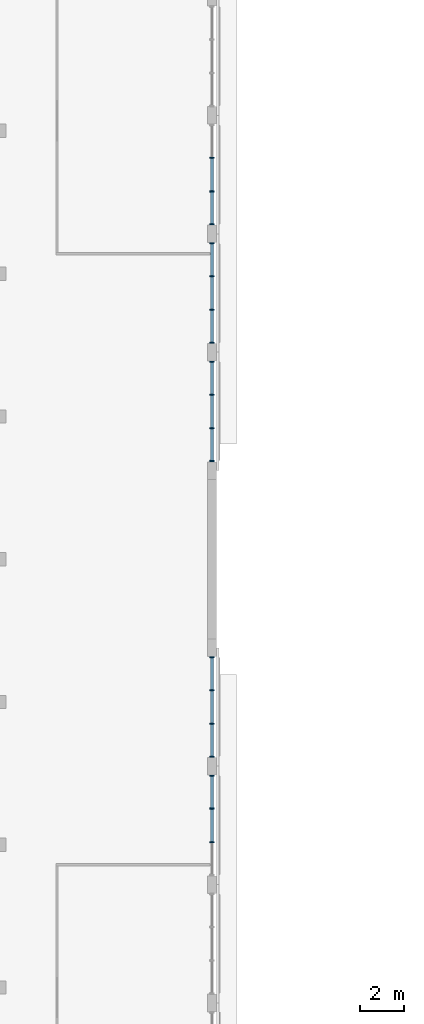
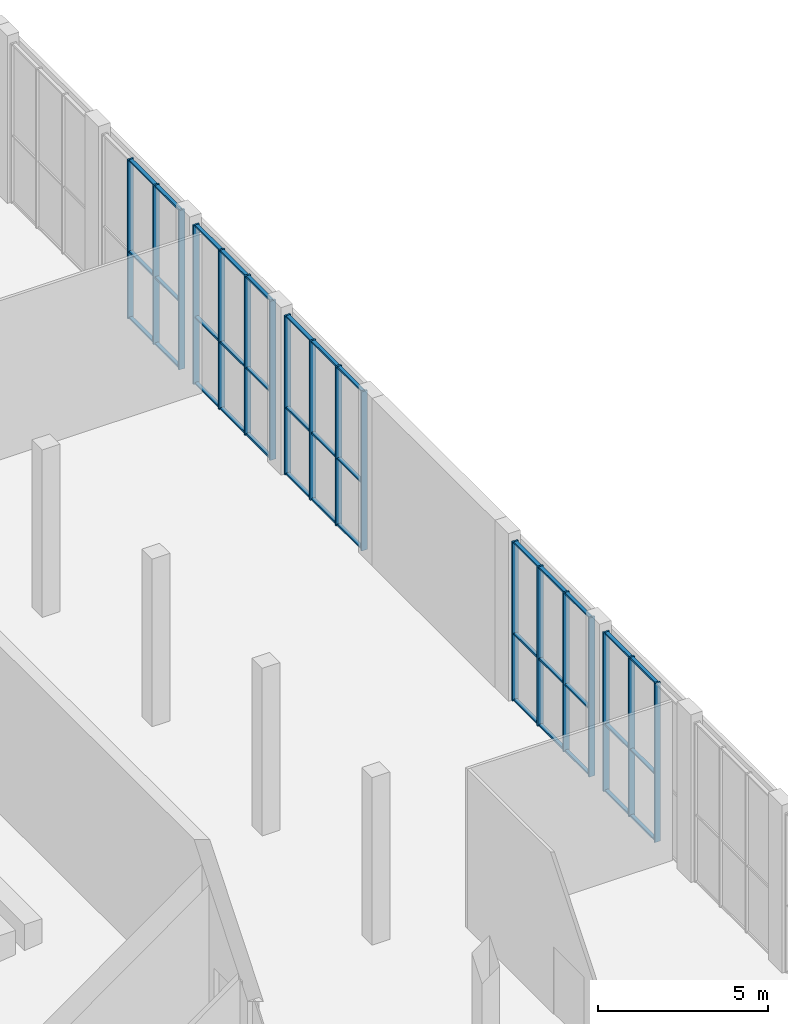
# One storey, part 9 of 74: 57 members, 5 elements without a shape of their own.
"""IFC4 building model written with IfcOpenShell, lengths in metres."""

from ifc_helpers import new_model, si_unit, direction, frame, origin, origin_2d, place, context, subcontext, project, spatial, rectangle, extrude, material, layer, layer_set, material_profile, profile_set, type_object, element, aggregate, save


model = new_model("IFC4")

# Units and contexts
model_context = context("Model", 3, precision=1e-05, world=origin(), true_north=direction((0.0, 1.0)))
body_context = subcontext(model_context, "Body", "Model", "MODEL_VIEW")
ifc_project = project(units=[si_unit("LENGTHUNIT", "METRE"), si_unit("AREAUNIT", "SQUARE_METRE"), si_unit("VOLUMEUNIT", "CUBIC_METRE"), si_unit("PLANEANGLEUNIT", "RADIAN"), si_unit("MASSUNIT", "GRAM", prefix="KILO")], contexts=[model_context])

# Site, building, storey
site_placement = place(None, origin())
site = spatial("IfcSite", under=ifc_project, at=site_placement, CompositionType="ELEMENT")
building_placement = place(site_placement, origin())
building = spatial("IfcBuilding", under=site, at=building_placement, Name="Noorbagh Ring Tower", CompositionType="ELEMENT")
storey_placement = place(building_placement, frame((0.0, 0.0, 13.5)))
storey = spatial("IfcBuildingStorey", under=building, at=storey_placement, Name="L02", CompositionType="ELEMENT", Elevation=13.5)

# Curtain wall, members
ifc_material_1 = material(Name="Aluminium and glass", Category="aluminium")
ifc_layer = layer(ifc_material_1, 0.199951171875)
ifc_layer_set = layer_set([ifc_layer], Name="Aluminium and glass")
curtain_wall_type = type_object("IfcCurtainWallType", Name="TH-CW", PredefinedType="NOTDEFINED", material=ifc_layer_set)
curtain_wall_1_placement = place(storey_placement, origin())
curtain_wall_1 = element("IfcCurtainWall", 1, at=curtain_wall_1_placement, inside=storey, type_object=curtain_wall_type, Name="Foyer glazing", PredefinedType="NOTDEFINED")
ifc_material_2 = material(Name="Aluminium", Category="aluminium")
ifc_material_profile_1 = material_profile(ifc_material_2, rectangle(XDim=0.199951171875, YDim=0.06005859375, at=origin_2d()), Name="AL 200x60")
ifc_profile_set_1 = profile_set([ifc_material_profile_1], Name="Aluminium")
member_type_1 = type_object("IfcMemberType", Name="TH-CW-MULLION", PredefinedType="MULLION", material=ifc_profile_set_1)
member_1_placement = place(storey_placement, frame((-95.199951171875, -7.783447265625, 0.0), z_axis=(0.0, 0.0, 1.0), x_axis=(-1.0, 0.0, 0.0)))
member_1 = element("IfcMember", 2, at=member_1_placement, type_object=member_type_1, Name="CW-T mullion 2", PredefinedType="MULLION", context=body_context, shape_type="SweptSolid", body=[
    extrude(rectangle(XDim=0.199951171875, YDim=0.06005859375, at=origin_2d()), origin(), (0.0, 0.0, 1.0), 5.699951171875),
])
member_2_placement = place(storey_placement, frame((-95.199951171875, -6.2666015625, 0.0), z_axis=(0.0, 0.0, 1.0), x_axis=(-1.0, 0.0, 0.0)))
member_2 = element("IfcMember", 3, at=member_2_placement, type_object=member_type_1, Name="CW-T mullion 3", PredefinedType="MULLION", context=body_context, shape_type="SweptSolid", body=[
    extrude(rectangle(XDim=0.199951171875, YDim=0.06005859375, at=origin_2d()), origin(), (0.0, 0.0, 1.0), 5.699951171875),
])
member_3_placement = place(storey_placement, frame((-95.199951171875, -4.780029296875, 0.0), z_axis=(0.0, 0.0, 1.0), x_axis=(-1.0, 0.0, 0.0)))
member_3 = element("IfcMember", 4, at=member_3_placement, type_object=member_type_1, Name="CW-T mullion 4", PredefinedType="MULLION", context=body_context, shape_type="SweptSolid", body=[
    extrude(rectangle(XDim=0.199951171875, YDim=0.06005859375, at=origin_2d()), origin(), (0.0, 0.0, 1.0), 5.699951171875),
])

curtain_wall_2_placement = place(storey_placement, origin())
curtain_wall_2 = element("IfcCurtainWall", 5, at=curtain_wall_2_placement, inside=storey, type_object=curtain_wall_type, Name="Foyer glazing", PredefinedType="NOTDEFINED")
member_4_placement = place(storey_placement, frame((-95.199951171875, -3.919921875, 0.0), z_axis=(0.0, 0.0, 1.0), x_axis=(-1.0, 0.0, 0.0)))
member_4 = element("IfcMember", 6, at=member_4_placement, type_object=member_type_1, Name="CW-T mullion 1", PredefinedType="MULLION", context=body_context, shape_type="SweptSolid", body=[
    extrude(rectangle(XDim=0.199951171875, YDim=0.06005859375, at=origin_2d()), origin(), (0.0, 0.0, 1.0), 5.699951171875),
])
member_5_placement = place(storey_placement, frame((-95.199951171875, -2.433349609375, 0.0), z_axis=(0.0, 0.0, 1.0), x_axis=(-1.0, 0.0, 0.0)))
member_5 = element("IfcMember", 7, at=member_5_placement, type_object=member_type_1, Name="CW-T mullion 2", PredefinedType="MULLION", context=body_context, shape_type="SweptSolid", body=[
    extrude(rectangle(XDim=0.199951171875, YDim=0.06005859375, at=origin_2d()), origin(), (0.0, 0.0, 1.0), 5.699951171875),
])
member_6_placement = place(storey_placement, frame((-95.199951171875, -0.916748046875, 0.0), z_axis=(0.0, 0.0, 1.0), x_axis=(-1.0, 0.0, 0.0)))
member_6 = element("IfcMember", 8, at=member_6_placement, type_object=member_type_1, Name="CW-T mullion 3", PredefinedType="MULLION", context=body_context, shape_type="SweptSolid", body=[
    extrude(rectangle(XDim=0.199951171875, YDim=0.06005859375, at=origin_2d()), origin(), (0.0, 0.0, 1.0), 5.699951171875),
])
member_7_placement = place(storey_placement, frame((-95.199951171875, 0.570068359375, 0.0), z_axis=(0.0, 0.0, 1.0), x_axis=(-1.0, 0.0, 0.0)))
member_7 = element("IfcMember", 9, at=member_7_placement, type_object=member_type_1, Name="CW-T mullion 4", PredefinedType="MULLION", context=body_context, shape_type="SweptSolid", body=[
    extrude(rectangle(XDim=0.199951171875, YDim=0.06005859375, at=origin_2d()), origin(), (0.0, 0.0, 1.0), 5.699951171875),
])

curtain_wall_3_placement = place(storey_placement, origin())
curtain_wall_3 = element("IfcCurtainWall", 10, at=curtain_wall_3_placement, inside=storey, type_object=curtain_wall_type, Name="Foyer glazing", PredefinedType="NOTDEFINED")
member_8_placement = place(storey_placement, frame((-95.199951171875, 9.429931640625, 0.0), z_axis=(0.0, 0.0, 1.0), x_axis=(-1.0, 0.0, 0.0)))
member_8 = element("IfcMember", 11, at=member_8_placement, type_object=member_type_1, Name="CW-T mullion 1", PredefinedType="MULLION", context=body_context, shape_type="SweptSolid", body=[
    extrude(rectangle(XDim=0.199951171875, YDim=0.06005859375, at=origin_2d()), origin(), (0.0, 0.0, 1.0), 5.699951171875),
])
member_9_placement = place(storey_placement, frame((-95.199951171875, 10.916748046875, 0.0), z_axis=(0.0, 0.0, 1.0), x_axis=(-1.0, 0.0, 0.0)))
member_9 = element("IfcMember", 12, at=member_9_placement, type_object=member_type_1, Name="CW-T mullion 2", PredefinedType="MULLION", context=body_context, shape_type="SweptSolid", body=[
    extrude(rectangle(XDim=0.199951171875, YDim=0.06005859375, at=origin_2d()), origin(), (0.0, 0.0, 1.0), 5.699951171875),
])
member_10_placement = place(storey_placement, frame((-95.199951171875, 12.433349609375, 0.0), z_axis=(0.0, 0.0, 1.0), x_axis=(-1.0, 0.0, 0.0)))
member_10 = element("IfcMember", 13, at=member_10_placement, type_object=member_type_1, Name="CW-T mullion 3", PredefinedType="MULLION", context=body_context, shape_type="SweptSolid", body=[
    extrude(rectangle(XDim=0.199951171875, YDim=0.06005859375, at=origin_2d()), origin(), (0.0, 0.0, 1.0), 5.699951171875),
])
member_11_placement = place(storey_placement, frame((-95.199951171875, 13.919921875, 0.0), z_axis=(0.0, 0.0, 1.0), x_axis=(-1.0, 0.0, 0.0)))
member_11 = element("IfcMember", 14, at=member_11_placement, type_object=member_type_1, Name="CW-T mullion 4", PredefinedType="MULLION", context=body_context, shape_type="SweptSolid", body=[
    extrude(rectangle(XDim=0.199951171875, YDim=0.06005859375, at=origin_2d()), origin(), (0.0, 0.0, 1.0), 5.699951171875),
])

curtain_wall_4_placement = place(storey_placement, origin())
curtain_wall_4 = element("IfcCurtainWall", 15, at=curtain_wall_4_placement, inside=storey, type_object=curtain_wall_type, Name="Foyer glazing", PredefinedType="NOTDEFINED")
member_12_placement = place(storey_placement, frame((-95.199951171875, 14.780029296875, 0.0), z_axis=(0.0, 0.0, 1.0), x_axis=(-1.0, 0.0, 0.0)))
member_12 = element("IfcMember", 16, at=member_12_placement, type_object=member_type_1, Name="CW-T mullion 1", PredefinedType="MULLION", context=body_context, shape_type="SweptSolid", body=[
    extrude(rectangle(XDim=0.199951171875, YDim=0.06005859375, at=origin_2d()), origin(), (0.0, 0.0, 1.0), 5.699951171875),
])
member_13_placement = place(storey_placement, frame((-95.199951171875, 16.2666015625, 0.0), z_axis=(0.0, 0.0, 1.0), x_axis=(-1.0, 0.0, 0.0)))
member_13 = element("IfcMember", 17, at=member_13_placement, type_object=member_type_1, Name="CW-T mullion 2", PredefinedType="MULLION", context=body_context, shape_type="SweptSolid", body=[
    extrude(rectangle(XDim=0.199951171875, YDim=0.06005859375, at=origin_2d()), origin(), (0.0, 0.0, 1.0), 5.699951171875),
])
member_14_placement = place(storey_placement, frame((-95.199951171875, 17.783447265625, 0.0), z_axis=(0.0, 0.0, 1.0), x_axis=(-1.0, 0.0, 0.0)))
member_14 = element("IfcMember", 18, at=member_14_placement, type_object=member_type_1, Name="CW-T mullion 3", PredefinedType="MULLION", context=body_context, shape_type="SweptSolid", body=[
    extrude(rectangle(XDim=0.199951171875, YDim=0.06005859375, at=origin_2d()), origin(), (0.0, 0.0, 1.0), 5.699951171875),
])
member_15_placement = place(storey_placement, frame((-95.199951171875, 19.27001953125, 0.0), z_axis=(0.0, 0.0, 1.0), x_axis=(-1.0, 0.0, 0.0)))
member_15 = element("IfcMember", 19, at=member_15_placement, type_object=member_type_1, Name="CW-T mullion 4", PredefinedType="MULLION", context=body_context, shape_type="SweptSolid", body=[
    extrude(rectangle(XDim=0.199951171875, YDim=0.06005859375, at=origin_2d()), origin(), (0.0, 0.0, 1.0), 5.699951171875),
])

curtain_wall_5_placement = place(storey_placement, origin())
curtain_wall_5 = element("IfcCurtainWall", 20, at=curtain_wall_5_placement, inside=storey, type_object=curtain_wall_type, Name="Foyer glazing", PredefinedType="NOTDEFINED")
member_16_placement = place(storey_placement, frame((-95.199951171875, 20.1298828125, 0.0), z_axis=(0.0, 0.0, 1.0), x_axis=(-1.0, 0.0, 0.0)))
member_16 = element("IfcMember", 21, at=member_16_placement, type_object=member_type_1, Name="CW-T mullion 1", PredefinedType="MULLION", context=body_context, shape_type="SweptSolid", body=[
    extrude(rectangle(XDim=0.199951171875, YDim=0.06005859375, at=origin_2d()), origin(), (0.0, 0.0, 1.0), 5.699951171875),
])
member_17_placement = place(storey_placement, frame((-95.199951171875, 21.61669921875, 0.0), z_axis=(0.0, 0.0, 1.0), x_axis=(-1.0, 0.0, 0.0)))
member_17 = element("IfcMember", 22, at=member_17_placement, type_object=member_type_1, Name="CW-T mullion 2", PredefinedType="MULLION", context=body_context, shape_type="SweptSolid", body=[
    extrude(rectangle(XDim=0.199951171875, YDim=0.06005859375, at=origin_2d()), origin(), (0.0, 0.0, 1.0), 5.699951171875),
])
member_18_placement = place(storey_placement, frame((-95.199951171875, 23.13330078125, 0.0), z_axis=(0.0, 0.0, 1.0), x_axis=(-1.0, 0.0, 0.0)))
member_18 = element("IfcMember", 23, at=member_18_placement, type_object=member_type_1, Name="CW-T mullion 3", PredefinedType="MULLION", context=body_context, shape_type="SweptSolid", body=[
    extrude(rectangle(XDim=0.199951171875, YDim=0.06005859375, at=origin_2d()), origin(), (0.0, 0.0, 1.0), 5.699951171875),
])

# Member
ifc_material_3 = material(Name="Aluminium", Category="aluminium")
ifc_material_profile_2 = material_profile(ifc_material_3, rectangle(XDim=0.1201171875, YDim=0.06005859375, at=origin_2d()), Name="AL 120x60")
ifc_profile_set_2 = profile_set([ifc_material_profile_2], Name="Aluminium")
member_type_2 = type_object("IfcMemberType", Name="TH-CW-TRANSOM", PredefinedType="USERDEFINED", material=ifc_profile_set_2)
member_19_placement = place(storey_placement, frame((-95.199951171875, -7.75341796875, 0.030029296875), z_axis=(0.0, 1.0, 0.0), x_axis=(-1.0, 0.0, 0.0)))
member_19 = element("IfcMember", 24, at=member_19_placement, type_object=member_type_2, Name="CW-T transom 2.1", ObjectType="TRANSOM", PredefinedType="USERDEFINED", context=body_context, shape_type="SweptSolid", body=[
    extrude(rectangle(XDim=0.1201171875, YDim=0.06005859375, at=origin_2d()), origin(), (0.0, 0.0, 1.0), 1.456787109375),
])

member_20_placement = place(storey_placement, frame((-95.199951171875, -7.75341796875, 2.39990234375), z_axis=(0.0, 1.0, 0.0), x_axis=(-1.0, 0.0, 0.0)))
member_20 = element("IfcMember", 25, at=member_20_placement, type_object=member_type_2, Name="CW-T transom 2.2", ObjectType="TRANSOM", PredefinedType="USERDEFINED", context=body_context, shape_type="SweptSolid", body=[
    extrude(rectangle(XDim=0.1201171875, YDim=0.06005859375, at=origin_2d()), origin(), (0.0, 0.0, 1.0), 1.456787109375),
])

member_21_placement = place(storey_placement, frame((-95.199951171875, -7.75341796875, 5.669921875), z_axis=(0.0, 1.0, 0.0), x_axis=(-1.0, 0.0, 0.0)))
member_21 = element("IfcMember", 26, at=member_21_placement, type_object=member_type_2, Name="CW-T transom 2.3", ObjectType="TRANSOM", PredefinedType="USERDEFINED", context=body_context, shape_type="SweptSolid", body=[
    extrude(rectangle(XDim=0.1201171875, YDim=0.06005859375, at=origin_2d()), origin(), (0.0, 0.0, 1.0), 1.456787109375),
])

member_22_placement = place(storey_placement, frame((-95.199951171875, -6.236572265625, 0.030029296875), z_axis=(0.0, 1.0, 0.0), x_axis=(-1.0, 0.0, 0.0)))
member_22 = element("IfcMember", 27, at=member_22_placement, type_object=member_type_2, Name="CW-T transom 3.1", ObjectType="TRANSOM", PredefinedType="USERDEFINED", context=body_context, shape_type="SweptSolid", body=[
    extrude(rectangle(XDim=0.1201171875, YDim=0.06005859375, at=origin_2d()), origin(), (0.0, 0.0, 1.0), 1.426513671875),
])

member_23_placement = place(storey_placement, frame((-95.199951171875, -6.236572265625, 2.39990234375), z_axis=(0.0, 1.0, 0.0), x_axis=(-1.0, 0.0, 0.0)))
member_23 = element("IfcMember", 28, at=member_23_placement, type_object=member_type_2, Name="CW-T transom 3.2", ObjectType="TRANSOM", PredefinedType="USERDEFINED", context=body_context, shape_type="SweptSolid", body=[
    extrude(rectangle(XDim=0.1201171875, YDim=0.06005859375, at=origin_2d()), origin(), (0.0, 0.0, 1.0), 1.426513671875),
])

member_24_placement = place(storey_placement, frame((-95.199951171875, -6.236572265625, 5.669921875), z_axis=(0.0, 1.0, 0.0), x_axis=(-1.0, 0.0, 0.0)))
member_24 = element("IfcMember", 29, at=member_24_placement, type_object=member_type_2, Name="CW-T transom 3.3", ObjectType="TRANSOM", PredefinedType="USERDEFINED", context=body_context, shape_type="SweptSolid", body=[
    extrude(rectangle(XDim=0.1201171875, YDim=0.06005859375, at=origin_2d()), origin(), (0.0, 0.0, 1.0), 1.426513671875),
])

aggregate(curtain_wall_1, [member_1, member_2, member_3, member_19, member_20, member_21, member_22, member_23, member_24])

member_25_placement = place(storey_placement, frame((-95.199951171875, -3.889892578125, 0.030029296875), z_axis=(0.0, 1.0, 0.0), x_axis=(-1.0, 0.0, 0.0)))
member_25 = element("IfcMember", 30, at=member_25_placement, type_object=member_type_2, Name="CW-T transom 1.1", ObjectType="TRANSOM", PredefinedType="USERDEFINED", context=body_context, shape_type="SweptSolid", body=[
    extrude(rectangle(XDim=0.1201171875, YDim=0.06005859375, at=origin_2d()), origin(), (0.0, 0.0, 1.0), 1.426513671875),
])

member_26_placement = place(storey_placement, frame((-95.199951171875, -3.889892578125, 2.39990234375), z_axis=(0.0, 1.0, 0.0), x_axis=(-1.0, 0.0, 0.0)))
member_26 = element("IfcMember", 31, at=member_26_placement, type_object=member_type_2, Name="CW-T transom 1.2", ObjectType="TRANSOM", PredefinedType="USERDEFINED", context=body_context, shape_type="SweptSolid", body=[
    extrude(rectangle(XDim=0.1201171875, YDim=0.06005859375, at=origin_2d()), origin(), (0.0, 0.0, 1.0), 1.426513671875),
])

member_27_placement = place(storey_placement, frame((-95.199951171875, -3.889892578125, 5.669921875), z_axis=(0.0, 1.0, 0.0), x_axis=(-1.0, 0.0, 0.0)))
member_27 = element("IfcMember", 32, at=member_27_placement, type_object=member_type_2, Name="CW-T transom 1.3", ObjectType="TRANSOM", PredefinedType="USERDEFINED", context=body_context, shape_type="SweptSolid", body=[
    extrude(rectangle(XDim=0.1201171875, YDim=0.06005859375, at=origin_2d()), origin(), (0.0, 0.0, 1.0), 1.426513671875),
])

member_28_placement = place(storey_placement, frame((-95.199951171875, -2.4033203125, 0.030029296875), z_axis=(0.0, 1.0, 0.0), x_axis=(-1.0, 0.0, 0.0)))
member_28 = element("IfcMember", 33, at=member_28_placement, type_object=member_type_2, Name="CW-T transom 2.1", ObjectType="TRANSOM", PredefinedType="USERDEFINED", context=body_context, shape_type="SweptSolid", body=[
    extrude(rectangle(XDim=0.1201171875, YDim=0.06005859375, at=origin_2d()), origin(), (0.0, 0.0, 1.0), 1.45654296875),
])

member_29_placement = place(storey_placement, frame((-95.199951171875, -2.4033203125, 2.39990234375), z_axis=(0.0, 1.0, 0.0), x_axis=(-1.0, 0.0, 0.0)))
member_29 = element("IfcMember", 34, at=member_29_placement, type_object=member_type_2, Name="CW-T transom 2.2", ObjectType="TRANSOM", PredefinedType="USERDEFINED", context=body_context, shape_type="SweptSolid", body=[
    extrude(rectangle(XDim=0.1201171875, YDim=0.06005859375, at=origin_2d()), origin(), (0.0, 0.0, 1.0), 1.45654296875),
])

member_30_placement = place(storey_placement, frame((-95.199951171875, -2.4033203125, 5.669921875), z_axis=(0.0, 1.0, 0.0), x_axis=(-1.0, 0.0, 0.0)))
member_30 = element("IfcMember", 35, at=member_30_placement, type_object=member_type_2, Name="CW-T transom 2.3", ObjectType="TRANSOM", PredefinedType="USERDEFINED", context=body_context, shape_type="SweptSolid", body=[
    extrude(rectangle(XDim=0.1201171875, YDim=0.06005859375, at=origin_2d()), origin(), (0.0, 0.0, 1.0), 1.45654296875),
])

member_31_placement = place(storey_placement, frame((-95.199951171875, -0.88671875, 0.030029296875), z_axis=(0.0, 1.0, 0.0), x_axis=(-1.0, 0.0, 0.0)))
member_31 = element("IfcMember", 36, at=member_31_placement, type_object=member_type_2, Name="CW-T transom 3.1", ObjectType="TRANSOM", PredefinedType="USERDEFINED", context=body_context, shape_type="SweptSolid", body=[
    extrude(rectangle(XDim=0.1201171875, YDim=0.06005859375, at=origin_2d()), origin(), (0.0, 0.0, 1.0), 1.4267578125),
])

member_32_placement = place(storey_placement, frame((-95.199951171875, -0.88671875, 2.39990234375), z_axis=(0.0, 1.0, 0.0), x_axis=(-1.0, 0.0, 0.0)))
member_32 = element("IfcMember", 37, at=member_32_placement, type_object=member_type_2, Name="CW-T transom 3.2", ObjectType="TRANSOM", PredefinedType="USERDEFINED", context=body_context, shape_type="SweptSolid", body=[
    extrude(rectangle(XDim=0.1201171875, YDim=0.06005859375, at=origin_2d()), origin(), (0.0, 0.0, 1.0), 1.4267578125),
])

member_33_placement = place(storey_placement, frame((-95.199951171875, -0.88671875, 5.669921875), z_axis=(0.0, 1.0, 0.0), x_axis=(-1.0, 0.0, 0.0)))
member_33 = element("IfcMember", 38, at=member_33_placement, type_object=member_type_2, Name="CW-T transom 3.3", ObjectType="TRANSOM", PredefinedType="USERDEFINED", context=body_context, shape_type="SweptSolid", body=[
    extrude(rectangle(XDim=0.1201171875, YDim=0.06005859375, at=origin_2d()), origin(), (0.0, 0.0, 1.0), 1.4267578125),
])

aggregate(curtain_wall_2, [member_4, member_5, member_6, member_7, member_25, member_26, member_27, member_28, member_29, member_30, member_31, member_32, member_33])

member_34_placement = place(storey_placement, frame((-95.199951171875, 9.4599609375, 0.030029296875), z_axis=(0.0, 1.0, 0.0), x_axis=(-1.0, 0.0, 0.0)))
member_34 = element("IfcMember", 39, at=member_34_placement, type_object=member_type_2, Name="CW-T transom 1.1", ObjectType="TRANSOM", PredefinedType="USERDEFINED", context=body_context, shape_type="SweptSolid", body=[
    extrude(rectangle(XDim=0.1201171875, YDim=0.06005859375, at=origin_2d()), origin(), (0.0, 0.0, 1.0), 1.4267578125),
])

member_35_placement = place(storey_placement, frame((-95.199951171875, 9.4599609375, 2.39990234375), z_axis=(0.0, 1.0, 0.0), x_axis=(-1.0, 0.0, 0.0)))
member_35 = element("IfcMember", 40, at=member_35_placement, type_object=member_type_2, Name="CW-T transom 1.2", ObjectType="TRANSOM", PredefinedType="USERDEFINED", context=body_context, shape_type="SweptSolid", body=[
    extrude(rectangle(XDim=0.1201171875, YDim=0.06005859375, at=origin_2d()), origin(), (0.0, 0.0, 1.0), 1.4267578125),
])

member_36_placement = place(storey_placement, frame((-95.199951171875, 9.4599609375, 5.669921875), z_axis=(0.0, 1.0, 0.0), x_axis=(-1.0, 0.0, 0.0)))
member_36 = element("IfcMember", 41, at=member_36_placement, type_object=member_type_2, Name="CW-T transom 1.3", ObjectType="TRANSOM", PredefinedType="USERDEFINED", context=body_context, shape_type="SweptSolid", body=[
    extrude(rectangle(XDim=0.1201171875, YDim=0.06005859375, at=origin_2d()), origin(), (0.0, 0.0, 1.0), 1.4267578125),
])

member_37_placement = place(storey_placement, frame((-95.199951171875, 10.94677734375, 0.030029296875), z_axis=(0.0, 1.0, 0.0), x_axis=(-1.0, 0.0, 0.0)))
member_37 = element("IfcMember", 42, at=member_37_placement, type_object=member_type_2, Name="CW-T transom 2.1", ObjectType="TRANSOM", PredefinedType="USERDEFINED", context=body_context, shape_type="SweptSolid", body=[
    extrude(rectangle(XDim=0.1201171875, YDim=0.06005859375, at=origin_2d()), origin(), (0.0, 0.0, 1.0), 1.45654296875),
])

member_38_placement = place(storey_placement, frame((-95.199951171875, 10.94677734375, 2.39990234375), z_axis=(0.0, 1.0, 0.0), x_axis=(-1.0, 0.0, 0.0)))
member_38 = element("IfcMember", 43, at=member_38_placement, type_object=member_type_2, Name="CW-T transom 2.2", ObjectType="TRANSOM", PredefinedType="USERDEFINED", context=body_context, shape_type="SweptSolid", body=[
    extrude(rectangle(XDim=0.1201171875, YDim=0.06005859375, at=origin_2d()), origin(), (0.0, 0.0, 1.0), 1.45654296875),
])

member_39_placement = place(storey_placement, frame((-95.199951171875, 10.94677734375, 5.669921875), z_axis=(0.0, 1.0, 0.0), x_axis=(-1.0, 0.0, 0.0)))
member_39 = element("IfcMember", 44, at=member_39_placement, type_object=member_type_2, Name="CW-T transom 2.3", ObjectType="TRANSOM", PredefinedType="USERDEFINED", context=body_context, shape_type="SweptSolid", body=[
    extrude(rectangle(XDim=0.1201171875, YDim=0.06005859375, at=origin_2d()), origin(), (0.0, 0.0, 1.0), 1.45654296875),
])

member_40_placement = place(storey_placement, frame((-95.199951171875, 12.46337890625, 0.030029296875), z_axis=(0.0, 1.0, 0.0), x_axis=(-1.0, 0.0, 0.0)))
member_40 = element("IfcMember", 45, at=member_40_placement, type_object=member_type_2, Name="CW-T transom 3.1", ObjectType="TRANSOM", PredefinedType="USERDEFINED", context=body_context, shape_type="SweptSolid", body=[
    extrude(rectangle(XDim=0.1201171875, YDim=0.06005859375, at=origin_2d()), origin(), (0.0, 0.0, 1.0), 1.426513671875),
])

member_41_placement = place(storey_placement, frame((-95.199951171875, 12.46337890625, 2.39990234375), z_axis=(0.0, 1.0, 0.0), x_axis=(-1.0, 0.0, 0.0)))
member_41 = element("IfcMember", 46, at=member_41_placement, type_object=member_type_2, Name="CW-T transom 3.2", ObjectType="TRANSOM", PredefinedType="USERDEFINED", context=body_context, shape_type="SweptSolid", body=[
    extrude(rectangle(XDim=0.1201171875, YDim=0.06005859375, at=origin_2d()), origin(), (0.0, 0.0, 1.0), 1.426513671875),
])

member_42_placement = place(storey_placement, frame((-95.199951171875, 12.46337890625, 5.669921875), z_axis=(0.0, 1.0, 0.0), x_axis=(-1.0, 0.0, 0.0)))
member_42 = element("IfcMember", 47, at=member_42_placement, type_object=member_type_2, Name="CW-T transom 3.3", ObjectType="TRANSOM", PredefinedType="USERDEFINED", context=body_context, shape_type="SweptSolid", body=[
    extrude(rectangle(XDim=0.1201171875, YDim=0.06005859375, at=origin_2d()), origin(), (0.0, 0.0, 1.0), 1.426513671875),
])

aggregate(curtain_wall_3, [member_8, member_9, member_10, member_11, member_34, member_35, member_36, member_37, member_38, member_39, member_40, member_41, member_42])

member_43_placement = place(storey_placement, frame((-95.199951171875, 14.81005859375, 0.030029296875), z_axis=(0.0, 1.0, 0.0), x_axis=(-1.0, 0.0, 0.0)))
member_43 = element("IfcMember", 48, at=member_43_placement, type_object=member_type_2, Name="CW-T transom 1.1", ObjectType="TRANSOM", PredefinedType="USERDEFINED", context=body_context, shape_type="SweptSolid", body=[
    extrude(rectangle(XDim=0.1201171875, YDim=0.06005859375, at=origin_2d()), origin(), (0.0, 0.0, 1.0), 1.426513671875),
])

member_44_placement = place(storey_placement, frame((-95.199951171875, 14.81005859375, 2.39990234375), z_axis=(0.0, 1.0, 0.0), x_axis=(-1.0, 0.0, 0.0)))
member_44 = element("IfcMember", 49, at=member_44_placement, type_object=member_type_2, Name="CW-T transom 1.2", ObjectType="TRANSOM", PredefinedType="USERDEFINED", context=body_context, shape_type="SweptSolid", body=[
    extrude(rectangle(XDim=0.1201171875, YDim=0.06005859375, at=origin_2d()), origin(), (0.0, 0.0, 1.0), 1.426513671875),
])

member_45_placement = place(storey_placement, frame((-95.199951171875, 14.81005859375, 5.669921875), z_axis=(0.0, 1.0, 0.0), x_axis=(-1.0, 0.0, 0.0)))
member_45 = element("IfcMember", 50, at=member_45_placement, type_object=member_type_2, Name="CW-T transom 1.3", ObjectType="TRANSOM", PredefinedType="USERDEFINED", context=body_context, shape_type="SweptSolid", body=[
    extrude(rectangle(XDim=0.1201171875, YDim=0.06005859375, at=origin_2d()), origin(), (0.0, 0.0, 1.0), 1.426513671875),
])

member_46_placement = place(storey_placement, frame((-95.199951171875, 16.296630859375, 0.030029296875), z_axis=(0.0, 1.0, 0.0), x_axis=(-1.0, 0.0, 0.0)))
member_46 = element("IfcMember", 51, at=member_46_placement, type_object=member_type_2, Name="CW-T transom 2.1", ObjectType="TRANSOM", PredefinedType="USERDEFINED", context=body_context, shape_type="SweptSolid", body=[
    extrude(rectangle(XDim=0.1201171875, YDim=0.06005859375, at=origin_2d()), origin(), (0.0, 0.0, 1.0), 1.456787109375),
])

member_47_placement = place(storey_placement, frame((-95.199951171875, 16.296630859375, 2.39990234375), z_axis=(0.0, 1.0, 0.0), x_axis=(-1.0, 0.0, 0.0)))
member_47 = element("IfcMember", 52, at=member_47_placement, type_object=member_type_2, Name="CW-T transom 2.2", ObjectType="TRANSOM", PredefinedType="USERDEFINED", context=body_context, shape_type="SweptSolid", body=[
    extrude(rectangle(XDim=0.1201171875, YDim=0.06005859375, at=origin_2d()), origin(), (0.0, 0.0, 1.0), 1.456787109375),
])

member_48_placement = place(storey_placement, frame((-95.199951171875, 16.296630859375, 5.669921875), z_axis=(0.0, 1.0, 0.0), x_axis=(-1.0, 0.0, 0.0)))
member_48 = element("IfcMember", 53, at=member_48_placement, type_object=member_type_2, Name="CW-T transom 2.3", ObjectType="TRANSOM", PredefinedType="USERDEFINED", context=body_context, shape_type="SweptSolid", body=[
    extrude(rectangle(XDim=0.1201171875, YDim=0.06005859375, at=origin_2d()), origin(), (0.0, 0.0, 1.0), 1.456787109375),
])

member_49_placement = place(storey_placement, frame((-95.199951171875, 17.813232421875, 0.030029296875), z_axis=(0.0, 1.0, 0.0), x_axis=(-1.0, 0.0, 0.0)))
member_49 = element("IfcMember", 54, at=member_49_placement, type_object=member_type_2, Name="CW-T transom 3.1", ObjectType="TRANSOM", PredefinedType="USERDEFINED", context=body_context, shape_type="SweptSolid", body=[
    extrude(rectangle(XDim=0.1201171875, YDim=0.06005859375, at=origin_2d()), origin(), (0.0, 0.0, 1.0), 1.4267578125),
])

member_50_placement = place(storey_placement, frame((-95.199951171875, 17.813232421875, 2.39990234375), z_axis=(0.0, 1.0, 0.0), x_axis=(-1.0, 0.0, 0.0)))
member_50 = element("IfcMember", 55, at=member_50_placement, type_object=member_type_2, Name="CW-T transom 3.2", ObjectType="TRANSOM", PredefinedType="USERDEFINED", context=body_context, shape_type="SweptSolid", body=[
    extrude(rectangle(XDim=0.1201171875, YDim=0.06005859375, at=origin_2d()), origin(), (0.0, 0.0, 1.0), 1.4267578125),
])

member_51_placement = place(storey_placement, frame((-95.199951171875, 17.813232421875, 5.669921875), z_axis=(0.0, 1.0, 0.0), x_axis=(-1.0, 0.0, 0.0)))
member_51 = element("IfcMember", 56, at=member_51_placement, type_object=member_type_2, Name="CW-T transom 3.3", ObjectType="TRANSOM", PredefinedType="USERDEFINED", context=body_context, shape_type="SweptSolid", body=[
    extrude(rectangle(XDim=0.1201171875, YDim=0.06005859375, at=origin_2d()), origin(), (0.0, 0.0, 1.0), 1.4267578125),
])

aggregate(curtain_wall_4, [member_12, member_13, member_14, member_15, member_43, member_44, member_45, member_46, member_47, member_48, member_49, member_50, member_51])

member_52_placement = place(storey_placement, frame((-95.199951171875, 20.159912109375, 0.030029296875), z_axis=(0.0, 1.0, 0.0), x_axis=(-1.0, 0.0, 0.0)))
member_52 = element("IfcMember", 57, at=member_52_placement, type_object=member_type_2, Name="CW-T transom 1.1", ObjectType="TRANSOM", PredefinedType="USERDEFINED", context=body_context, shape_type="SweptSolid", body=[
    extrude(rectangle(XDim=0.1201171875, YDim=0.06005859375, at=origin_2d()), origin(), (0.0, 0.0, 1.0), 1.4267578125),
])

member_53_placement = place(storey_placement, frame((-95.199951171875, 20.159912109375, 2.39990234375), z_axis=(0.0, 1.0, 0.0), x_axis=(-1.0, 0.0, 0.0)))
member_53 = element("IfcMember", 58, at=member_53_placement, type_object=member_type_2, Name="CW-T transom 1.2", ObjectType="TRANSOM", PredefinedType="USERDEFINED", context=body_context, shape_type="SweptSolid", body=[
    extrude(rectangle(XDim=0.1201171875, YDim=0.06005859375, at=origin_2d()), origin(), (0.0, 0.0, 1.0), 1.4267578125),
])

member_54_placement = place(storey_placement, frame((-95.199951171875, 20.159912109375, 5.669921875), z_axis=(0.0, 1.0, 0.0), x_axis=(-1.0, 0.0, 0.0)))
member_54 = element("IfcMember", 59, at=member_54_placement, type_object=member_type_2, Name="CW-T transom 1.3", ObjectType="TRANSOM", PredefinedType="USERDEFINED", context=body_context, shape_type="SweptSolid", body=[
    extrude(rectangle(XDim=0.1201171875, YDim=0.06005859375, at=origin_2d()), origin(), (0.0, 0.0, 1.0), 1.4267578125),
])

member_55_placement = place(storey_placement, frame((-95.199951171875, 21.646728515625, 0.030029296875), z_axis=(0.0, 1.0, 0.0), x_axis=(-1.0, 0.0, 0.0)))
member_55 = element("IfcMember", 60, at=member_55_placement, type_object=member_type_2, Name="CW-T transom 2.1", ObjectType="TRANSOM", PredefinedType="USERDEFINED", context=body_context, shape_type="SweptSolid", body=[
    extrude(rectangle(XDim=0.1201171875, YDim=0.06005859375, at=origin_2d()), origin(), (0.0, 0.0, 1.0), 1.45654296875),
])

member_56_placement = place(storey_placement, frame((-95.199951171875, 21.646728515625, 2.39990234375), z_axis=(0.0, 1.0, 0.0), x_axis=(-1.0, 0.0, 0.0)))
member_56 = element("IfcMember", 61, at=member_56_placement, type_object=member_type_2, Name="CW-T transom 2.2", ObjectType="TRANSOM", PredefinedType="USERDEFINED", context=body_context, shape_type="SweptSolid", body=[
    extrude(rectangle(XDim=0.1201171875, YDim=0.06005859375, at=origin_2d()), origin(), (0.0, 0.0, 1.0), 1.45654296875),
])

member_57_placement = place(storey_placement, frame((-95.199951171875, 21.646728515625, 5.669921875), z_axis=(0.0, 1.0, 0.0), x_axis=(-1.0, 0.0, 0.0)))
member_57 = element("IfcMember", 62, at=member_57_placement, type_object=member_type_2, Name="CW-T transom 2.3", ObjectType="TRANSOM", PredefinedType="USERDEFINED", context=body_context, shape_type="SweptSolid", body=[
    extrude(rectangle(XDim=0.1201171875, YDim=0.06005859375, at=origin_2d()), origin(), (0.0, 0.0, 1.0), 1.45654296875),
])

aggregate(curtain_wall_5, [member_16, member_17, member_18, member_52, member_53, member_54, member_55, member_56, member_57])

save(model, "model.ifc")
